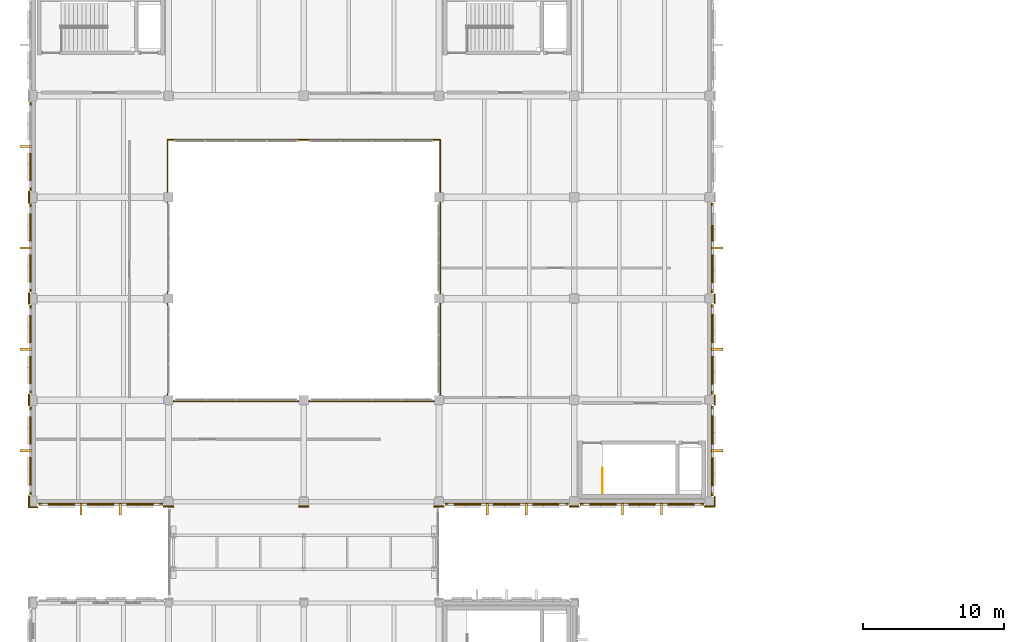
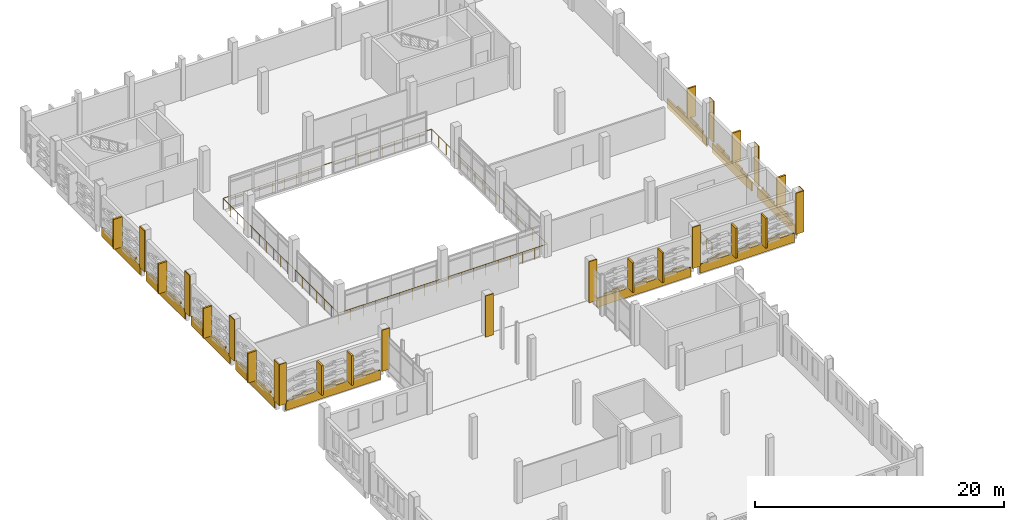
# One storey, part 64 of 72: 79 coverings, 3 railings.
"""IFC4 building model written with IfcOpenShell, lengths in metres."""

from ifc_helpers import new_model, si_unit, direction, frame, origin, origin_2d, place, context, subcontext, project, spatial, rectangle, circle, extrude, material, layer, layer_set, type_object, element, save


model = new_model("IFC4")

# Units and contexts
model_context = context("Model", 3, precision=1e-05, world=origin(), true_north=direction((0.0, 1.0)))
body_context = subcontext(model_context, "Body", "Model", "MODEL_VIEW")
ifc_project = project(units=[si_unit("LENGTHUNIT", "METRE"), si_unit("AREAUNIT", "SQUARE_METRE"), si_unit("VOLUMEUNIT", "CUBIC_METRE"), si_unit("PLANEANGLEUNIT", "RADIAN"), si_unit("MASSUNIT", "GRAM", prefix="KILO")], contexts=[model_context])

# Site, building, storey
site_placement = place(None, origin())
site = spatial("IfcSite", under=ifc_project, at=site_placement, CompositionType="ELEMENT")
building_placement = place(site_placement, origin())
building = spatial("IfcBuilding", under=site, at=building_placement, Name="Asteropetra Specialist Clinic", CompositionType="ELEMENT")
storey_placement = place(building_placement, frame((0.0, 0.0, 12.580078125)))
storey = spatial("IfcBuildingStorey", under=building, at=storey_placement, Name="L03", CompositionType="ELEMENT", Elevation=12.580078125)

# Coverings
ifc_material_1 = material(Name="Chevron terracotta pale", Category="masonry")
ifc_layer_1 = layer(ifc_material_1, 0.1201171875)
ifc_layer_set_1 = layer_set([ifc_layer_1], Name="Chevron terracotta pale")
covering_type_1 = type_object("IfcCoveringType", Name="CLD-TER-PALE", PredefinedType="CLADDING", material=ifc_layer_set_1)
covering_1_placement = place(storey_placement, frame((4.77490234375, 69.409912109375, -0.800048828125), z_axis=(0.0, 0.0, 1.0), x_axis=(1.0, 0.0, 0.0)))
element("IfcCovering", 1, at=covering_1_placement, inside=storey, type_object=covering_type_1, Name="Chevron Spandrel Band CV-1444", PredefinedType="CLADDING", context=body_context, shape_type="SweptSolid", body=[
    extrude(rectangle(XDim=8.800048828125, YDim=0.1201171875, at=origin_2d()), origin(), (0.0, 0.0, 1.0), 0.8798828125),
])
for number, where, z_axis, x_axis, name in (
    (2, (1.576416015625, 69.39501953125, 0.1201171875), (0.0, 0.0, 1.0), (1.0, 0.0, 0.0), "Chevron Ceramic Band CV-1445"),
    (3, (2.400390625, 69.39501953125, 0.259765625), (0.0, 0.0, 1.0), (1.0, 0.0, 0.0), "Chevron Ceramic Band CV-1446"),
    (4, (4.363037109375, 69.39501953125, 0.1201171875), (0.0, 0.0, 1.0), (1.0, 0.0, 0.0), "Chevron Ceramic Band CV-1447"),
    (5, (5.18701171875, 69.39501953125, 0.259765625), (0.0, 0.0, 1.0), (1.0, 0.0, 0.0), "Chevron Ceramic Band CV-1448"),
    (6, (7.149658203125, 69.39501953125, 0.1201171875), (0.0, 0.0, 1.0), (1.0, 0.0, 0.0), "Chevron Ceramic Band CV-1449"),
    (7, (7.9736328125, 69.39501953125, 0.259765625), (0.0, 0.0, 1.0), (1.0, 0.0, 0.0), "Chevron Ceramic Band CV-1450"),
):
    element("IfcCovering", number, at=place(storey_placement, frame(where, z_axis=z_axis, x_axis=x_axis)), inside=storey, type_object=covering_type_1, Name=name, PredefinedType="CLADDING", context=body_context, shape_type="SweptSolid", body=[
        extrude(rectangle(XDim=1.05908203125, YDim=0.1201171875, at=origin_2d()), origin(), (0.0, 0.0, 1.0), 0.199951171875),
    ])
covering_2_placement = place(storey_placement, frame((33.60009765625, 69.409912109375, -0.800048828125), z_axis=(0.0, 0.0, 1.0), x_axis=(1.0, 0.0, 0.0)))
element("IfcCovering", 8, at=covering_2_placement, inside=storey, type_object=covering_type_1, Name="Chevron Spandrel Band CV-1478", PredefinedType="CLADDING", context=body_context, shape_type="SweptSolid", body=[
    extrude(rectangle(XDim=8.75, YDim=0.1201171875, at=origin_2d()), origin(), (0.0, 0.0, 1.0), 0.8798828125),
])
for number, where, z_axis, x_axis, name in (
    (9, (30.42041015625, 69.39501953125, 0.1201171875), (0.0, 0.0, 1.0), (1.0, 0.0, 0.0), "Chevron Ceramic Band CV-1479"),
    (10, (31.239501953125, 69.39501953125, 0.259765625), (0.0, 0.0, 1.0), (1.0, 0.0, 0.0), "Chevron Ceramic Band CV-1480"),
    (11, (33.1904296875, 69.39501953125, 0.1201171875), (0.0, 0.0, 1.0), (1.0, 0.0, 0.0), "Chevron Ceramic Band CV-1481"),
    (12, (34.009521484375, 69.39501953125, 0.259765625), (0.0, 0.0, 1.0), (1.0, 0.0, 0.0), "Chevron Ceramic Band CV-1482"),
    (13, (35.96044921875, 69.39501953125, 0.1201171875), (0.0, 0.0, 1.0), (1.0, 0.0, 0.0), "Chevron Ceramic Band CV-1483"),
    (14, (36.779541015625, 69.39501953125, 0.259765625), (0.0, 0.0, 1.0), (1.0, 0.0, 0.0), "Chevron Ceramic Band CV-1484"),
):
    element("IfcCovering", number, at=place(storey_placement, frame(where, z_axis=z_axis, x_axis=x_axis)), inside=storey, type_object=covering_type_1, Name=name, PredefinedType="CLADDING", context=body_context, shape_type="SweptSolid", body=[
        extrude(rectangle(XDim=1.052978515625, YDim=0.1201171875, at=origin_2d()), origin(), (0.0, 0.0, 1.0), 0.199951171875),
    ])
covering_3_placement = place(storey_placement, frame((43.199951171875, 69.409912109375, -0.800048828125), z_axis=(0.0, 0.0, 1.0), x_axis=(1.0, 0.0, 0.0)))
element("IfcCovering", 15, at=covering_3_placement, inside=storey, type_object=covering_type_1, Name="Chevron Spandrel Band CV-1494", PredefinedType="CLADDING", context=body_context, shape_type="SweptSolid", body=[
    extrude(rectangle(XDim=8.75, YDim=0.1201171875, at=origin_2d()), origin(), (0.0, 0.0, 1.0), 0.8798828125),
])
for number, where, z_axis, x_axis, name in (
    (16, (40.0205078125, 69.39501953125, 0.1201171875), (0.0, 0.0, 1.0), (1.0, 0.0, 0.0), "Chevron Ceramic Band CV-1495"),
    (17, (40.839599609375, 69.39501953125, 0.259765625), (0.0, 0.0, 1.0), (1.0, 0.0, 0.0), "Chevron Ceramic Band CV-1496"),
    (18, (42.79052734375, 69.39501953125, 0.1201171875), (0.0, 0.0, 1.0), (1.0, 0.0, 0.0), "Chevron Ceramic Band CV-1497"),
    (19, (43.609619140625, 69.39501953125, 0.259765625), (0.0, 0.0, 1.0), (1.0, 0.0, 0.0), "Chevron Ceramic Band CV-1498"),
    (20, (45.560546875, 69.39501953125, 0.1201171875), (0.0, 0.0, 1.0), (1.0, 0.0, 0.0), "Chevron Ceramic Band CV-1499"),
    (21, (46.37939453125, 69.39501953125, 0.259765625), (0.0, 0.0, 1.0), (1.0, 0.0, 0.0), "Chevron Ceramic Band CV-1500"),
):
    element("IfcCovering", number, at=place(storey_placement, frame(where, z_axis=z_axis, x_axis=x_axis)), inside=storey, type_object=covering_type_1, Name=name, PredefinedType="CLADDING", context=body_context, shape_type="SweptSolid", body=[
        extrude(rectangle(XDim=1.052978515625, YDim=0.1201171875, at=origin_2d()), origin(), (0.0, 0.0, 1.0), 0.199951171875),
    ])
covering_4_placement = place(storey_placement, frame((-0.18994140625, 73.199951171875, -0.800048828125), z_axis=(0.0, 0.0, 1.0), x_axis=(1.0, 0.0, 0.0)))
element("IfcCovering", 22, at=covering_4_placement, inside=storey, type_object=covering_type_1, Name="Chevron Spandrel Band CV-1510", PredefinedType="CLADDING", context=body_context, shape_type="SweptSolid", body=[
    extrude(rectangle(XDim=0.1201171875, YDim=6.25, at=origin_2d()), origin(), (0.0, 0.0, 1.0), 0.8798828125),
])
for number, where, z_axis, x_axis, name in (
    (23, (-0.205078125, 75.082275390625, 0.1201171875), (0.0, 0.0, 1.0), (1.0, 0.0, 0.0), "Chevron Ceramic Band CV-1511"),
    (24, (-0.205078125, 74.22265625, 0.259765625), (0.0, 0.0, 1.0), (1.0, 0.0, 0.0), "Chevron Ceramic Band CV-1512"),
    (25, (-0.205078125, 72.17724609375, 0.1201171875), (0.0, 0.0, 1.0), (1.0, 0.0, 0.0), "Chevron Ceramic Band CV-1513"),
    (26, (-0.205078125, 71.317626953125, 0.259765625), (0.0, 0.0, 1.0), (1.0, 0.0, 0.0), "Chevron Ceramic Band CV-1514"),
):
    element("IfcCovering", number, at=place(storey_placement, frame(where, z_axis=z_axis, x_axis=x_axis)), inside=storey, type_object=covering_type_1, Name=name, PredefinedType="CLADDING", context=body_context, shape_type="SweptSolid", body=[
        extrude(rectangle(XDim=0.1201171875, YDim=1.10400390625, at=origin_2d()), origin(), (0.0, 0.0, 1.0), 0.199951171875),
    ])
covering_5_placement = place(storey_placement, frame((48.18994140625, 73.199951171875, -0.800048828125), z_axis=(0.0, 0.0, 1.0), x_axis=(1.0, 0.0, 0.0)))
element("IfcCovering", 27, at=covering_5_placement, inside=storey, type_object=covering_type_1, Name="Chevron Spandrel Band CV-1515", PredefinedType="CLADDING", context=body_context, shape_type="SweptSolid", body=[
    extrude(rectangle(XDim=0.1201171875, YDim=6.35009765625, at=origin_2d()), origin(), (0.0, 0.0, 1.0), 0.8798828125),
])
for number, where, z_axis, x_axis, name in (
    (28, (48.205078125, 71.28515625, 0.1201171875), (0.0, 0.0, 1.0), (1.0, 0.0, 0.0), "Chevron Ceramic Band CV-1516"),
    (29, (48.205078125, 72.159912109375, 0.259765625), (0.0, 0.0, 1.0), (1.0, 0.0, 0.0), "Chevron Ceramic Band CV-1517"),
    (30, (48.205078125, 74.240234375, 0.1201171875), (0.0, 0.0, 1.0), (1.0, 0.0, 0.0), "Chevron Ceramic Band CV-1518"),
    (31, (48.205078125, 75.11474609375, 0.259765625), (0.0, 0.0, 1.0), (1.0, 0.0, 0.0), "Chevron Ceramic Band CV-1519"),
):
    element("IfcCovering", number, at=place(storey_placement, frame(where, z_axis=z_axis, x_axis=x_axis)), inside=storey, type_object=covering_type_1, Name=name, PredefinedType="CLADDING", context=body_context, shape_type="SweptSolid", body=[
        extrude(rectangle(XDim=0.1201171875, YDim=1.123046875, at=origin_2d()), origin(), (0.0, 0.0, 1.0), 0.199951171875),
    ])
covering_6_placement = place(storey_placement, frame((-0.18994140625, 80.39990234375, -0.800048828125), z_axis=(0.0, 0.0, 1.0), x_axis=(1.0, 0.0, 0.0)))
element("IfcCovering", 32, at=covering_6_placement, inside=storey, type_object=covering_type_1, Name="Chevron Spandrel Band CV-1520", PredefinedType="CLADDING", context=body_context, shape_type="SweptSolid", body=[
    extrude(rectangle(XDim=0.1201171875, YDim=6.25, at=origin_2d()), origin(), (0.0, 0.0, 1.0), 0.8798828125),
])
for number, where, z_axis, x_axis, name in (
    (33, (-0.205078125, 82.2822265625, 0.1201171875), (0.0, 0.0, 1.0), (1.0, 0.0, 0.0), "Chevron Ceramic Band CV-1521"),
    (34, (-0.205078125, 81.422607421875, 0.259765625), (0.0, 0.0, 1.0), (1.0, 0.0, 0.0), "Chevron Ceramic Band CV-1522"),
    (35, (-0.205078125, 79.377197265625, 0.1201171875), (0.0, 0.0, 1.0), (1.0, 0.0, 0.0), "Chevron Ceramic Band CV-1523"),
    (36, (-0.205078125, 78.517578125, 0.259765625), (0.0, 0.0, 1.0), (1.0, 0.0, 0.0), "Chevron Ceramic Band CV-1524"),
):
    element("IfcCovering", number, at=place(storey_placement, frame(where, z_axis=z_axis, x_axis=x_axis)), inside=storey, type_object=covering_type_1, Name=name, PredefinedType="CLADDING", context=body_context, shape_type="SweptSolid", body=[
        extrude(rectangle(XDim=0.1201171875, YDim=1.10400390625, at=origin_2d()), origin(), (0.0, 0.0, 1.0), 0.199951171875),
    ])
covering_7_placement = place(storey_placement, frame((48.18994140625, 80.39990234375, -0.800048828125), z_axis=(0.0, 0.0, 1.0), x_axis=(1.0, 0.0, 0.0)))
element("IfcCovering", 37, at=covering_7_placement, inside=storey, type_object=covering_type_1, Name="Chevron Spandrel Band CV-1525", PredefinedType="CLADDING", context=body_context, shape_type="SweptSolid", body=[
    extrude(rectangle(XDim=0.1201171875, YDim=6.35009765625, at=origin_2d()), origin(), (0.0, 0.0, 1.0), 0.8798828125),
])
for number, where, z_axis, x_axis, name in (
    (38, (48.205078125, 78.485107421875, 0.1201171875), (0.0, 0.0, 1.0), (1.0, 0.0, 0.0), "Chevron Ceramic Band CV-1526"),
    (39, (48.205078125, 79.35986328125, 0.259765625), (0.0, 0.0, 1.0), (1.0, 0.0, 0.0), "Chevron Ceramic Band CV-1527"),
    (40, (48.205078125, 81.440185546875, 0.1201171875), (0.0, 0.0, 1.0), (1.0, 0.0, 0.0), "Chevron Ceramic Band CV-1528"),
    (41, (48.205078125, 82.314697265625, 0.259765625), (0.0, 0.0, 1.0), (1.0, 0.0, 0.0), "Chevron Ceramic Band CV-1529"),
):
    element("IfcCovering", number, at=place(storey_placement, frame(where, z_axis=z_axis, x_axis=x_axis)), inside=storey, type_object=covering_type_1, Name=name, PredefinedType="CLADDING", context=body_context, shape_type="SweptSolid", body=[
        extrude(rectangle(XDim=0.1201171875, YDim=1.123046875, at=origin_2d()), origin(), (0.0, 0.0, 1.0), 0.199951171875),
    ])
covering_8_placement = place(storey_placement, frame((-0.18994140625, 87.60009765625, -0.800048828125), z_axis=(0.0, 0.0, 1.0), x_axis=(1.0, 0.0, 0.0)))
element("IfcCovering", 42, at=covering_8_placement, inside=storey, type_object=covering_type_1, Name="Chevron Spandrel Band CV-1530", PredefinedType="CLADDING", context=body_context, shape_type="SweptSolid", body=[
    extrude(rectangle(XDim=0.1201171875, YDim=6.25, at=origin_2d()), origin(), (0.0, 0.0, 1.0), 0.8798828125),
])
for number, where, z_axis, x_axis, name in (
    (43, (-0.205078125, 89.482421875, 0.1201171875), (0.0, 0.0, 1.0), (1.0, 0.0, 0.0), "Chevron Ceramic Band CV-1531"),
    (44, (-0.205078125, 88.622802734375, 0.259765625), (0.0, 0.0, 1.0), (1.0, 0.0, 0.0), "Chevron Ceramic Band CV-1532"),
    (45, (-0.205078125, 86.577392578125, 0.1201171875), (0.0, 0.0, 1.0), (1.0, 0.0, 0.0), "Chevron Ceramic Band CV-1533"),
    (46, (-0.205078125, 85.7177734375, 0.259765625), (0.0, 0.0, 1.0), (1.0, 0.0, 0.0), "Chevron Ceramic Band CV-1534"),
):
    element("IfcCovering", number, at=place(storey_placement, frame(where, z_axis=z_axis, x_axis=x_axis)), inside=storey, type_object=covering_type_1, Name=name, PredefinedType="CLADDING", context=body_context, shape_type="SweptSolid", body=[
        extrude(rectangle(XDim=0.1201171875, YDim=1.10400390625, at=origin_2d()), origin(), (0.0, 0.0, 1.0), 0.199951171875),
    ])
covering_9_placement = place(storey_placement, frame((48.18994140625, 87.60009765625, -0.800048828125), z_axis=(0.0, 0.0, 1.0), x_axis=(1.0, 0.0, 0.0)))
element("IfcCovering", 47, at=covering_9_placement, inside=storey, type_object=covering_type_1, Name="Chevron Spandrel Band CV-1535", PredefinedType="CLADDING", context=body_context, shape_type="SweptSolid", body=[
    extrude(rectangle(XDim=0.1201171875, YDim=6.35009765625, at=origin_2d()), origin(), (0.0, 0.0, 1.0), 0.8798828125),
])
for number, where, z_axis, x_axis, name in (
    (48, (48.205078125, 85.685302734375, 0.1201171875), (0.0, 0.0, 1.0), (1.0, 0.0, 0.0), "Chevron Ceramic Band CV-1536"),
    (49, (48.205078125, 86.559814453125, 0.259765625), (0.0, 0.0, 1.0), (1.0, 0.0, 0.0), "Chevron Ceramic Band CV-1537"),
    (50, (48.205078125, 88.64013671875, 0.1201171875), (0.0, 0.0, 1.0), (1.0, 0.0, 0.0), "Chevron Ceramic Band CV-1538"),
):
    element("IfcCovering", number, at=place(storey_placement, frame(where, z_axis=z_axis, x_axis=x_axis)), inside=storey, type_object=covering_type_1, Name=name, PredefinedType="CLADDING", context=body_context, shape_type="SweptSolid", body=[
        extrude(rectangle(XDim=0.1201171875, YDim=1.123046875, at=origin_2d()), origin(), (0.0, 0.0, 1.0), 0.199951171875),
    ])
covering_10_placement = place(storey_placement, frame((-0.18994140625, 94.800048828125, -0.800048828125), z_axis=(0.0, 0.0, 1.0), x_axis=(1.0, 0.0, 0.0)))
element("IfcCovering", 51, at=covering_10_placement, inside=storey, type_object=covering_type_1, Name="Chevron Spandrel Band CV-1540", PredefinedType="CLADDING", context=body_context, shape_type="SweptSolid", body=[
    extrude(rectangle(XDim=0.1201171875, YDim=6.25, at=origin_2d()), origin(), (0.0, 0.0, 1.0), 0.8798828125),
])
for number, where, z_axis, x_axis, name in (
    (52, (-0.205078125, 93.77734375, 0.1201171875), (0.0, 0.0, 1.0), (1.0, 0.0, 0.0), "Chevron Ceramic Band CV-1543"),
    (53, (-0.205078125, 92.917724609375, 0.259765625), (0.0, 0.0, 1.0), (1.0, 0.0, 0.0), "Chevron Ceramic Band CV-1544"),
):
    element("IfcCovering", number, at=place(storey_placement, frame(where, z_axis=z_axis, x_axis=x_axis)), inside=storey, type_object=covering_type_1, Name=name, PredefinedType="CLADDING", context=body_context, shape_type="SweptSolid", body=[
        extrude(rectangle(XDim=0.1201171875, YDim=1.10400390625, at=origin_2d()), origin(), (0.0, 0.0, 1.0), 0.199951171875),
    ])
ifc_material_2 = material(Name="Pentelic marble ashlar", Category="masonry")
ifc_layer_2 = layer(ifc_material_2, 0.159912109375)
ifc_layer_set_2 = layer_set([ifc_layer_2], Name="Pentelic marble ashlar")
covering_type_2 = type_object("IfcCoveringType", Name="CRN-ENTAB-600", PredefinedType="MOLDING", material=ifc_layer_set_2)
covering_11_placement = place(storey_placement, frame((0.0, 69.193115234375, 0.02001953125), z_axis=(0.0, 0.0, 1.0), x_axis=(1.0, 0.0, 0.0)))
element("IfcCovering", 54, at=covering_11_placement, inside=storey, type_object=covering_type_2, Name="Neoclassical Pilaster Facing CM-0675", PredefinedType="MOLDING", context=body_context, shape_type="SweptSolid", body=[
    extrude(rectangle(XDim=0.6298828125, YDim=0.080078125, at=origin_2d()), origin(), (0.0, 0.0, 1.0), 4.0400390625),
])
for number, where, z_axis, x_axis, name in (
    (55, (-0.306884765625, 69.60009765625, 0.02001953125), (0.0, 0.0, 1.0), (1.0, 0.0, 0.0), "Neoclassical Pilaster Facing CM-0676"),
    (56, (-0.306884765625, 76.800048828125, 0.02001953125), (0.0, 0.0, 1.0), (1.0, 0.0, 0.0), "Neoclassical Pilaster Facing CM-0677"),
    (57, (-0.306884765625, 84.0, 0.02001953125), (0.0, 0.0, 1.0), (1.0, 0.0, 0.0), "Neoclassical Pilaster Facing CM-0678"),
    (58, (-0.306884765625, 91.199951171875, 0.02001953125), (0.0, 0.0, 1.0), (1.0, 0.0, 0.0), "Neoclassical Pilaster Facing CM-0679"),
):
    element("IfcCovering", number, at=place(storey_placement, frame(where, z_axis=z_axis, x_axis=x_axis)), inside=storey, type_object=covering_type_2, Name=name, PredefinedType="MOLDING", context=body_context, shape_type="SweptSolid", body=[
        extrude(rectangle(XDim=0.080078125, YDim=0.830078125, at=origin_2d()), origin(), (0.0, 0.0, 1.0), 4.0400390625),
    ])
for number, where, z_axis, x_axis, name in (
    (59, (9.60009765625, 69.242919921875, 0.02001953125), (0.0, 0.0, 1.0), (1.0, 0.0, 0.0), "Neoclassical Pilaster Facing CM-0684"),
    (60, (19.199951171875, 69.242919921875, 0.02001953125), (0.0, 0.0, 1.0), (1.0, 0.0, 0.0), "Neoclassical Pilaster Facing CM-0686"),
    (61, (28.800048828125, 69.242919921875, 0.02001953125), (0.0, 0.0, 1.0), (1.0, 0.0, 0.0), "Neoclassical Pilaster Facing CM-0688"),
    (62, (38.39990234375, 69.242919921875, 0.02001953125), (0.0, 0.0, 1.0), (1.0, 0.0, 0.0), "Neoclassical Pilaster Facing CM-0690"),
    (63, (48.0, 69.242919921875, 0.02001953125), (0.0, 0.0, 1.0), (1.0, 0.0, 0.0), "Neoclassical Pilaster Facing CM-0692"),
):
    element("IfcCovering", number, at=place(storey_placement, frame(where, z_axis=z_axis, x_axis=x_axis)), inside=storey, type_object=covering_type_2, Name=name, PredefinedType="MOLDING", context=body_context, shape_type="SweptSolid", body=[
        extrude(rectangle(XDim=0.72998046875, YDim=0.080078125, at=origin_2d()), origin(), (0.0, 0.0, 1.0), 4.0400390625),
    ])
for number, where, z_axis, x_axis, name in (
    (64, (48.35693359375, 69.60009765625, 0.02001953125), (0.0, 0.0, 1.0), (1.0, 0.0, 0.0), "Neoclassical Pilaster Facing CM-0693"),
    (65, (48.35693359375, 76.800048828125, 0.02001953125), (0.0, 0.0, 1.0), (1.0, 0.0, 0.0), "Neoclassical Pilaster Facing CM-0694"),
    (66, (48.35693359375, 84.0, 0.02001953125), (0.0, 0.0, 1.0), (1.0, 0.0, 0.0), "Neoclassical Pilaster Facing CM-0695"),
):
    element("IfcCovering", number, at=place(storey_placement, frame(where, z_axis=z_axis, x_axis=x_axis)), inside=storey, type_object=covering_type_2, Name=name, PredefinedType="MOLDING", context=body_context, shape_type="SweptSolid", body=[
        extrude(rectangle(XDim=0.080078125, YDim=0.72998046875, at=origin_2d()), origin(), (0.0, 0.0, 1.0), 4.0400390625),
    ])
ifc_material_3 = material(Name="Pentelic marble solar fin", Category="masonry")
ifc_layer_3 = layer(ifc_material_3, 0.080078125)
ifc_layer_set_3 = layer_set([ifc_layer_3], Name="Pentelic marble solar fin")
covering_type_3 = type_object("IfcCoveringType", Name="FIN-SOLAR-800", PredefinedType="MOLDING", material=ifc_layer_set_3)
for number, where, z_axis, x_axis, name in (
    (67, (3.381591796875, 69.054931640625, 0.06982421875), (0.0, 0.0, 1.0), (1.0, 0.0, 0.0), "Solar Shading Fin FN-0079"),
    (68, (6.168212890625, 69.054931640625, 0.06982421875), (0.0, 0.0, 1.0), (1.0, 0.0, 0.0), "Solar Shading Fin FN-0080"),
    (69, (32.215087890625, 69.054931640625, 0.06982421875), (0.0, 0.0, 1.0), (1.0, 0.0, 0.0), "Solar Shading Fin FN-0090"),
    (70, (34.985107421875, 69.054931640625, 0.06982421875), (0.0, 0.0, 1.0), (1.0, 0.0, 0.0), "Solar Shading Fin FN-0091"),
):
    element("IfcCovering", number, at=place(storey_placement, frame(where, z_axis=z_axis, x_axis=x_axis)), inside=storey, type_object=covering_type_3, Name=name, PredefinedType="MOLDING", context=body_context, shape_type="SweptSolid", body=[
        extrude(rectangle(XDim=0.159912109375, YDim=0.800048828125, at=origin_2d()), origin(), (0.0, 0.0, 1.0), 2.909912109375),
    ])
for number, where, z_axis, x_axis, name in (
    (71, (41.81494140625, 69.054931640625, 0.070068359375), (0.0, 0.0, 1.0), (1.0, 0.0, 0.0), "Solar Shading Fin FN-0095"),
    (72, (44.5849609375, 69.054931640625, 0.070068359375), (0.0, 0.0, 1.0), (1.0, 0.0, 0.0), "Solar Shading Fin FN-0096"),
):
    element("IfcCovering", number, at=place(storey_placement, frame(where, z_axis=z_axis, x_axis=x_axis)), inside=storey, type_object=covering_type_3, Name=name, PredefinedType="MOLDING", context=body_context, shape_type="SweptSolid", body=[
        extrude(rectangle(XDim=0.159912109375, YDim=0.800048828125, at=origin_2d()), origin(), (0.0, 0.0, 1.0), 2.93994140625),
    ])
covering_12_placement = place(storey_placement, frame((-0.544921875, 73.199951171875, 0.06982421875), z_axis=(0.0, 0.0, 1.0), x_axis=(1.0, 0.0, 0.0)))
element("IfcCovering", 73, at=covering_12_placement, inside=storey, type_object=covering_type_3, Name="Solar Shading Fin FN-0100", PredefinedType="MOLDING", context=body_context, shape_type="SweptSolid", body=[
    extrude(rectangle(XDim=0.800048828125, YDim=0.159912109375, at=origin_2d()), origin(), (0.0, 0.0, 1.0), 2.909912109375),
])
for number, where, z_axis, x_axis, name in (
    (74, (48.544921875, 73.199951171875, 0.070068359375), (0.0, 0.0, 1.0), (1.0, 0.0, 0.0), "Solar Shading Fin FN-0101"),
    (75, (-0.544921875, 80.39990234375, 0.070068359375), (0.0, 0.0, 1.0), (1.0, 0.0, 0.0), "Solar Shading Fin FN-0102"),
    (76, (48.544921875, 80.39990234375, 0.070068359375), (0.0, 0.0, 1.0), (1.0, 0.0, 0.0), "Solar Shading Fin FN-0103"),
    (77, (-0.544921875, 87.60009765625, 0.070068359375), (0.0, 0.0, 1.0), (1.0, 0.0, 0.0), "Solar Shading Fin FN-0104"),
    (78, (48.544921875, 87.60009765625, 0.070068359375), (0.0, 0.0, 1.0), (1.0, 0.0, 0.0), "Solar Shading Fin FN-0105"),
    (79, (-0.544921875, 94.800048828125, 0.070068359375), (0.0, 0.0, 1.0), (1.0, 0.0, 0.0), "Solar Shading Fin FN-0106"),
):
    element("IfcCovering", number, at=place(storey_placement, frame(where, z_axis=z_axis, x_axis=x_axis)), inside=storey, type_object=covering_type_3, Name=name, PredefinedType="MOLDING", context=body_context, shape_type="SweptSolid", body=[
        extrude(rectangle(XDim=0.800048828125, YDim=0.159912109375, at=origin_2d()), origin(), (0.0, 0.0, 1.0), 2.93994140625),
    ])

# Railings
ifc_material_4 = material(Name="Powder-coated Steel S355 guardrail", Category="steel")
railing_type_1 = type_object("IfcRailingType", Name="GRD-EXT-1120", PredefinedType="GUARDRAIL", material=ifc_material_4)
railing_1_placement = place(storey_placement, frame((9.52001953125, 76.719970703125, 0.0)))
element("IfcRailing", 80, at=railing_1_placement, inside=storey, type_object=railing_type_1, Name="Perimeter Guard GRD-CT-L03-04A", PredefinedType="GUARDRAIL", context=body_context, shape_type="SweptSolid", body=[
    extrude(circle(Radius=0.02392578125, at=origin_2d()), frame((0.0, 0.0, 1.09619140625), z_axis=(1.0, 0.0, 0.0), x_axis=(0.0, 1.0, 0.0)), (0.0, 0.0, 1.0), 19.35986328125),
    extrude(circle(Radius=0.02392578125, at=origin_2d()), frame((19.35986328125, 0.0, 1.09619140625), z_axis=(0.0, 1.0, 0.0), x_axis=(-1.0, 0.0, 0.0)), (0.0, 0.0, 1.0), 18.56005859375),
    extrude(circle(Radius=0.02099609375, at=origin_2d()), origin(), (0.0, 0.0, 1.0), 1.072021484375),
    extrude(circle(Radius=0.02099609375, at=origin_2d()), frame((1.138916015625, 0.0, 0.0)), (0.0, 0.0, 1.0), 1.072021484375),
    extrude(circle(Radius=0.02099609375, at=origin_2d()), frame((2.277587890625, 0.0, 0.0)), (0.0, 0.0, 1.0), 1.072021484375),
    extrude(circle(Radius=0.02099609375, at=origin_2d()), frame((3.41650390625, 0.0, 0.0)), (0.0, 0.0, 1.0), 1.072021484375),
    extrude(circle(Radius=0.02099609375, at=origin_2d()), frame((4.55517578125, 0.0, 0.0)), (0.0, 0.0, 1.0), 1.072021484375),
    extrude(circle(Radius=0.02099609375, at=origin_2d()), frame((5.694091796875, 0.0, 0.0)), (0.0, 0.0, 1.0), 1.072021484375),
    extrude(circle(Radius=0.02099609375, at=origin_2d()), frame((6.8330078125, 0.0, 0.0)), (0.0, 0.0, 1.0), 1.072021484375),
    extrude(circle(Radius=0.02099609375, at=origin_2d()), frame((7.9716796875, 0.0, 0.0)), (0.0, 0.0, 1.0), 1.072021484375),
    extrude(circle(Radius=0.02099609375, at=origin_2d()), frame((9.110595703125, 0.0, 0.0)), (0.0, 0.0, 1.0), 1.072021484375),
    extrude(circle(Radius=0.02099609375, at=origin_2d()), frame((10.249267578125, 0.0, 0.0)), (0.0, 0.0, 1.0), 1.072021484375),
    extrude(circle(Radius=0.02099609375, at=origin_2d()), frame((11.38818359375, 0.0, 0.0)), (0.0, 0.0, 1.0), 1.072021484375),
    extrude(circle(Radius=0.02099609375, at=origin_2d()), frame((12.52685546875, 0.0, 0.0)), (0.0, 0.0, 1.0), 1.072021484375),
    extrude(circle(Radius=0.02099609375, at=origin_2d()), frame((13.665771484375, 0.0, 0.0)), (0.0, 0.0, 1.0), 1.072021484375),
    extrude(circle(Radius=0.02099609375, at=origin_2d()), frame((14.8046875, 0.0, 0.0)), (0.0, 0.0, 1.0), 1.072021484375),
    extrude(circle(Radius=0.02099609375, at=origin_2d()), frame((15.943359375, 0.0, 0.0)), (0.0, 0.0, 1.0), 1.072021484375),
    extrude(circle(Radius=0.02099609375, at=origin_2d()), frame((17.082275390625, 0.0, 0.0)), (0.0, 0.0, 1.0), 1.072021484375),
    extrude(circle(Radius=0.02099609375, at=origin_2d()), frame((18.220947265625, 0.0, 0.0)), (0.0, 0.0, 1.0), 1.072021484375),
    extrude(circle(Radius=0.02099609375, at=origin_2d()), frame((19.35986328125, 0.0, 0.0)), (0.0, 0.0, 1.0), 1.072021484375),
    extrude(circle(Radius=0.02099609375, at=origin_2d()), frame((19.35986328125, 1.159912109375, 0.0)), (0.0, 0.0, 1.0), 1.072021484375),
    extrude(circle(Radius=0.02099609375, at=origin_2d()), frame((19.35986328125, 2.320068359375, 0.0)), (0.0, 0.0, 1.0), 1.072021484375),
    extrude(circle(Radius=0.02099609375, at=origin_2d()), frame((19.35986328125, 3.47998046875, 0.0)), (0.0, 0.0, 1.0), 1.072021484375),
    extrude(circle(Radius=0.02099609375, at=origin_2d()), frame((19.35986328125, 4.64013671875, 0.0)), (0.0, 0.0, 1.0), 1.072021484375),
    extrude(circle(Radius=0.02099609375, at=origin_2d()), frame((19.35986328125, 5.800048828125, 0.0)), (0.0, 0.0, 1.0), 1.072021484375),
    extrude(circle(Radius=0.02099609375, at=origin_2d()), frame((19.35986328125, 6.9599609375, 0.0)), (0.0, 0.0, 1.0), 1.072021484375),
    extrude(circle(Radius=0.02099609375, at=origin_2d()), frame((19.35986328125, 8.1201171875, 0.0)), (0.0, 0.0, 1.0), 1.072021484375),
    extrude(circle(Radius=0.02099609375, at=origin_2d()), frame((19.35986328125, 9.280029296875, 0.0)), (0.0, 0.0, 1.0), 1.072021484375),
    extrude(circle(Radius=0.02099609375, at=origin_2d()), frame((19.35986328125, 10.43994140625, 0.0)), (0.0, 0.0, 1.0), 1.072021484375),
    extrude(circle(Radius=0.02099609375, at=origin_2d()), frame((19.35986328125, 11.60009765625, 0.0)), (0.0, 0.0, 1.0), 1.072021484375),
    extrude(circle(Radius=0.02099609375, at=origin_2d()), frame((19.35986328125, 12.760009765625, 0.0)), (0.0, 0.0, 1.0), 1.072021484375),
    extrude(circle(Radius=0.02099609375, at=origin_2d()), frame((19.35986328125, 13.919921875, 0.0)), (0.0, 0.0, 1.0), 1.072021484375),
    extrude(circle(Radius=0.02099609375, at=origin_2d()), frame((19.35986328125, 15.080078125, 0.0)), (0.0, 0.0, 1.0), 1.072021484375),
    extrude(circle(Radius=0.02099609375, at=origin_2d()), frame((19.35986328125, 16.239990234375, 0.0)), (0.0, 0.0, 1.0), 1.072021484375),
    extrude(circle(Radius=0.02099609375, at=origin_2d()), frame((19.35986328125, 17.400146484375, 0.0)), (0.0, 0.0, 1.0), 1.072021484375),
    extrude(circle(Radius=0.02099609375, at=origin_2d()), frame((19.35986328125, 18.56005859375, 0.0)), (0.0, 0.0, 1.0), 1.072021484375),
])
railing_2_placement = place(storey_placement, frame((28.8798828125, 95.280029296875, 0.0)))
element("IfcRailing", 81, at=railing_2_placement, inside=storey, type_object=railing_type_1, Name="Perimeter Guard GRD-CT-L03-04B", PredefinedType="GUARDRAIL", context=body_context, shape_type="SweptSolid", body=[
    extrude(circle(Radius=0.02392578125, at=origin_2d()), frame((0.0, 0.0, 1.09619140625), z_axis=(-1.0, 0.0, 0.0), x_axis=(0.0, -1.0, 0.0)), (0.0, 0.0, 1.0), 19.35986328125),
    extrude(circle(Radius=0.02392578125, at=origin_2d()), frame((-19.35986328125, 0.0, 1.09619140625), z_axis=(0.0, -1.0, 0.0), x_axis=(1.0, 0.0, 0.0)), (0.0, 0.0, 1.0), 18.56005859375),
    extrude(circle(Radius=0.02099609375, at=origin_2d()), origin(), (0.0, 0.0, 1.0), 1.072021484375),
    extrude(circle(Radius=0.02099609375, at=origin_2d()), frame((-1.138916015625, 0.0, 0.0)), (0.0, 0.0, 1.0), 1.072021484375),
    extrude(circle(Radius=0.02099609375, at=origin_2d()), frame((-2.277587890625, 0.0, 0.0)), (0.0, 0.0, 1.0), 1.072021484375),
    extrude(circle(Radius=0.02099609375, at=origin_2d()), frame((-3.41650390625, 0.0, 0.0)), (0.0, 0.0, 1.0), 1.072021484375),
    extrude(circle(Radius=0.02099609375, at=origin_2d()), frame((-4.55517578125, 0.0, 0.0)), (0.0, 0.0, 1.0), 1.072021484375),
    extrude(circle(Radius=0.02099609375, at=origin_2d()), frame((-5.694091796875, 0.0, 0.0)), (0.0, 0.0, 1.0), 1.072021484375),
    extrude(circle(Radius=0.02099609375, at=origin_2d()), frame((-6.8330078125, 0.0, 0.0)), (0.0, 0.0, 1.0), 1.072021484375),
    extrude(circle(Radius=0.02099609375, at=origin_2d()), frame((-7.9716796875, 0.0, 0.0)), (0.0, 0.0, 1.0), 1.072021484375),
    extrude(circle(Radius=0.02099609375, at=origin_2d()), frame((-9.110595703125, 0.0, 0.0)), (0.0, 0.0, 1.0), 1.072021484375),
    extrude(circle(Radius=0.02099609375, at=origin_2d()), frame((-10.249267578125, 0.0, 0.0)), (0.0, 0.0, 1.0), 1.072021484375),
    extrude(circle(Radius=0.02099609375, at=origin_2d()), frame((-11.38818359375, 0.0, 0.0)), (0.0, 0.0, 1.0), 1.072021484375),
    extrude(circle(Radius=0.02099609375, at=origin_2d()), frame((-12.52685546875, 0.0, 0.0)), (0.0, 0.0, 1.0), 1.072021484375),
    extrude(circle(Radius=0.02099609375, at=origin_2d()), frame((-13.665771484375, 0.0, 0.0)), (0.0, 0.0, 1.0), 1.072021484375),
    extrude(circle(Radius=0.02099609375, at=origin_2d()), frame((-14.8046875, 0.0, 0.0)), (0.0, 0.0, 1.0), 1.072021484375),
    extrude(circle(Radius=0.02099609375, at=origin_2d()), frame((-15.943359375, 0.0, 0.0)), (0.0, 0.0, 1.0), 1.072021484375),
    extrude(circle(Radius=0.02099609375, at=origin_2d()), frame((-17.082275390625, 0.0, 0.0)), (0.0, 0.0, 1.0), 1.072021484375),
    extrude(circle(Radius=0.02099609375, at=origin_2d()), frame((-18.220947265625, 0.0, 0.0)), (0.0, 0.0, 1.0), 1.072021484375),
    extrude(circle(Radius=0.02099609375, at=origin_2d()), frame((-19.35986328125, 0.0, 0.0)), (0.0, 0.0, 1.0), 1.072021484375),
    extrude(circle(Radius=0.02099609375, at=origin_2d()), frame((-19.35986328125, -1.159912109375, 0.0)), (0.0, 0.0, 1.0), 1.072021484375),
    extrude(circle(Radius=0.02099609375, at=origin_2d()), frame((-19.35986328125, -2.320068359375, 0.0)), (0.0, 0.0, 1.0), 1.072021484375),
    extrude(circle(Radius=0.02099609375, at=origin_2d()), frame((-19.35986328125, -3.47998046875, 0.0)), (0.0, 0.0, 1.0), 1.072021484375),
    extrude(circle(Radius=0.02099609375, at=origin_2d()), frame((-19.35986328125, -4.64013671875, 0.0)), (0.0, 0.0, 1.0), 1.072021484375),
    extrude(circle(Radius=0.02099609375, at=origin_2d()), frame((-19.35986328125, -5.800048828125, 0.0)), (0.0, 0.0, 1.0), 1.072021484375),
    extrude(circle(Radius=0.02099609375, at=origin_2d()), frame((-19.35986328125, -6.9599609375, 0.0)), (0.0, 0.0, 1.0), 1.072021484375),
    extrude(circle(Radius=0.02099609375, at=origin_2d()), frame((-19.35986328125, -8.1201171875, 0.0)), (0.0, 0.0, 1.0), 1.072021484375),
    extrude(circle(Radius=0.02099609375, at=origin_2d()), frame((-19.35986328125, -9.280029296875, 0.0)), (0.0, 0.0, 1.0), 1.072021484375),
    extrude(circle(Radius=0.02099609375, at=origin_2d()), frame((-19.35986328125, -10.43994140625, 0.0)), (0.0, 0.0, 1.0), 1.072021484375),
    extrude(circle(Radius=0.02099609375, at=origin_2d()), frame((-19.35986328125, -11.60009765625, 0.0)), (0.0, 0.0, 1.0), 1.072021484375),
    extrude(circle(Radius=0.02099609375, at=origin_2d()), frame((-19.35986328125, -12.760009765625, 0.0)), (0.0, 0.0, 1.0), 1.072021484375),
    extrude(circle(Radius=0.02099609375, at=origin_2d()), frame((-19.35986328125, -13.919921875, 0.0)), (0.0, 0.0, 1.0), 1.072021484375),
    extrude(circle(Radius=0.02099609375, at=origin_2d()), frame((-19.35986328125, -15.080078125, 0.0)), (0.0, 0.0, 1.0), 1.072021484375),
    extrude(circle(Radius=0.02099609375, at=origin_2d()), frame((-19.35986328125, -16.239990234375, 0.0)), (0.0, 0.0, 1.0), 1.072021484375),
    extrude(circle(Radius=0.02099609375, at=origin_2d()), frame((-19.35986328125, -17.400146484375, 0.0)), (0.0, 0.0, 1.0), 1.072021484375),
    extrude(circle(Radius=0.02099609375, at=origin_2d()), frame((-19.35986328125, -18.56005859375, 0.0)), (0.0, 0.0, 1.0), 1.072021484375),
])
ifc_material_5 = material(Name="Steel S355 and laminated glass guard", Category="steel")
railing_type_2 = type_object("IfcRailingType", Name="GRD-INT-1120", PredefinedType="GUARDRAIL", material=ifc_material_5)
railing_3_placement = place(storey_placement, frame((40.39990234375, 70.199951171875, 0.0)))
element("IfcRailing", 82, at=railing_3_placement, inside=storey, type_object=railing_type_2, Name="Stair Well Guard ST03-L02", PredefinedType="GUARDRAIL", context=body_context, shape_type="SweptSolid", body=[
    extrude(circle(Radius=0.02392578125, at=origin_2d()), frame((0.0, 0.0, 1.09619140625), z_axis=(0.0, 1.0, 0.0), x_axis=(-1.0, 0.0, 0.0)), (0.0, 0.0, 1.0), 1.780029296875),
    extrude(circle(Radius=0.02099609375, at=origin_2d()), origin(), (0.0, 0.0, 1.0), 1.072021484375),
    extrude(circle(Radius=0.02099609375, at=origin_2d()), frame((0.0, 0.89013671875, 0.0)), (0.0, 0.0, 1.0), 1.072021484375),
    extrude(circle(Radius=0.02099609375, at=origin_2d()), frame((0.0, 1.780029296875, 0.0)), (0.0, 0.0, 1.0), 1.072021484375),
])

save(model, "model.ifc")
